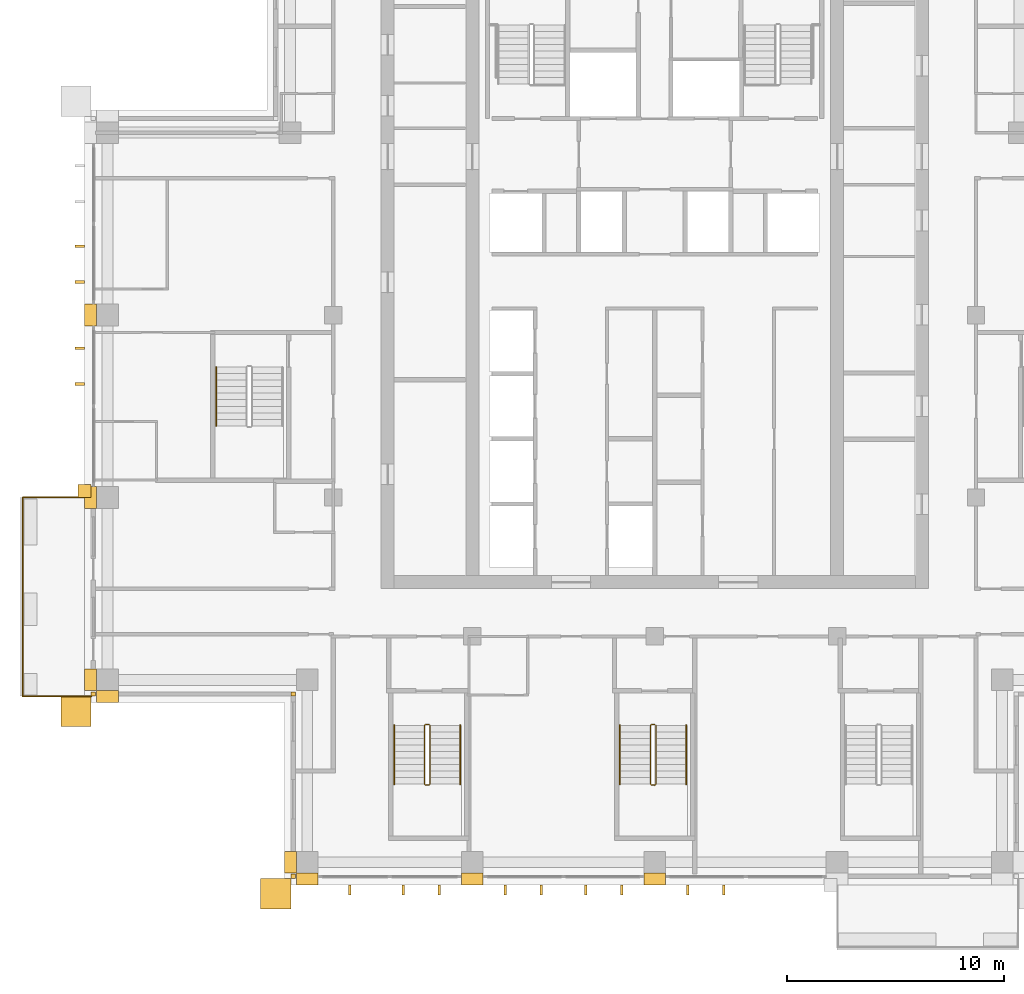
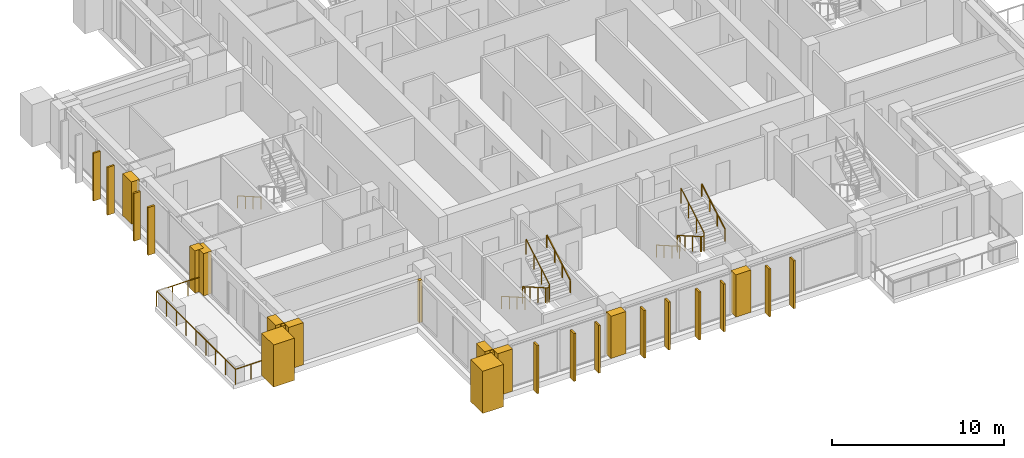
# One storey, part 16 of 19: 27 coverings, 8 railings.
"""IFC4 building model written with IfcOpenShell, lengths in metres."""

from ifc_helpers import new_model, si_unit, direction, frame, origin, origin_2d, place, context, subcontext, project, spatial, polyline, rectangle, outline, extrude, material, layer, layer_set, type_object, element, save


model = new_model("IFC4")

# Units and contexts
model_context = context("Model", 3, precision=1e-05, world=origin(), true_north=direction((0.0, 1.0)))
body_context = subcontext(model_context, "Body", "Model", "MODEL_VIEW")
ifc_project = project(units=[si_unit("LENGTHUNIT", "METRE"), si_unit("AREAUNIT", "SQUARE_METRE"), si_unit("VOLUMEUNIT", "CUBIC_METRE"), si_unit("PLANEANGLEUNIT", "RADIAN"), si_unit("MASSUNIT", "GRAM", prefix="KILO")], contexts=[model_context])

# Site, building, storey
site_placement = place(None, origin())
site = spatial("IfcSite", under=ifc_project, at=site_placement, CompositionType="ELEMENT")
building_placement = place(site_placement, origin())
building = spatial("IfcBuilding", under=site, at=building_placement, Name="Vermilion Ogive Tower", CompositionType="ELEMENT")
storey_placement = place(building_placement, frame((0.0, 0.0, 213.5)))
storey = spatial("IfcBuildingStorey", under=building, at=storey_placement, Name="L56", CompositionType="ELEMENT", Elevation=213.5)

# Railing
ifc_material_1 = material(Name="Stainless steel and glass", Category="steel")
railing_type_1 = type_object("IfcRailingType", Name="Balcony guard", PredefinedType="GUARDRAIL", material=ifc_material_1)
railing_1_placement = place(storey_placement, frame((-25.949951171875, -4.199951171875, -0.0400390625)))
element("IfcRailing", 1, at=railing_1_placement, inside=storey, type_object=railing_type_1, Name="Guard W03", PredefinedType="GUARDRAIL", context=body_context, shape_type="SweptSolid", body=[
    extrude(rectangle(XDim=0.048095703125, YDim=0.048095703125, at=origin_2d()), frame((0.0, 0.0, 1.076171875), z_axis=(-1.0, 0.0, 0.0), x_axis=(0.0, -1.0, 0.0)), (0.0, 0.0, 1.0), 3.16015625),
    extrude(rectangle(XDim=0.048095703125, YDim=0.048095703125, at=origin_2d()), frame((-3.16015625, 0.0, 1.076171875), z_axis=(0.0, -1.0, 0.0), x_axis=(1.0, 0.0, 0.0)), (0.0, 0.0, 1.0), 9.150146484375),
    extrude(rectangle(XDim=0.048095703125, YDim=0.048095703125, at=origin_2d()), frame((-3.16015625, -9.150146484375, 1.076171875), z_axis=(1.0, 0.0, 0.0), x_axis=(0.0, 1.0, 0.0)), (0.0, 0.0, 1.0), 3.16015625),
    extrude(rectangle(XDim=0.0419921875, YDim=0.0419921875, at=origin_2d()), origin(), (0.0, 0.0, 1.0), 1.052001953125),
    extrude(rectangle(XDim=0.0419921875, YDim=0.0419921875, at=origin_2d()), frame((-1.053466796875, 0.0, 0.0)), (0.0, 0.0, 1.0), 1.052001953125),
    extrude(rectangle(XDim=0.0419921875, YDim=0.0419921875, at=origin_2d()), frame((-2.106689453125, 0.0, 0.0)), (0.0, 0.0, 1.0), 1.052001953125),
    extrude(rectangle(XDim=0.0419921875, YDim=0.0419921875, at=origin_2d()), frame((-3.16015625, 0.0, 0.0)), (0.0, 0.0, 1.0), 1.052001953125),
    extrude(rectangle(XDim=0.0419921875, YDim=0.0419921875, at=origin_2d()), frame((-3.16015625, -1.143798828125, 0.0)), (0.0, 0.0, 1.0), 1.052001953125),
    extrude(rectangle(XDim=0.0419921875, YDim=0.0419921875, at=origin_2d()), frame((-3.16015625, -2.28759765625, 0.0)), (0.0, 0.0, 1.0), 1.052001953125),
    extrude(rectangle(XDim=0.0419921875, YDim=0.0419921875, at=origin_2d()), frame((-3.16015625, -3.431396484375, 0.0)), (0.0, 0.0, 1.0), 1.052001953125),
    extrude(rectangle(XDim=0.0419921875, YDim=0.0419921875, at=origin_2d()), frame((-3.16015625, -4.5751953125, 0.0)), (0.0, 0.0, 1.0), 1.052001953125),
    extrude(rectangle(XDim=0.0419921875, YDim=0.0419921875, at=origin_2d()), frame((-3.16015625, -5.71875, 0.0)), (0.0, 0.0, 1.0), 1.052001953125),
    extrude(rectangle(XDim=0.0419921875, YDim=0.0419921875, at=origin_2d()), frame((-3.16015625, -6.862548828125, 0.0)), (0.0, 0.0, 1.0), 1.052001953125),
    extrude(rectangle(XDim=0.0419921875, YDim=0.0419921875, at=origin_2d()), frame((-3.16015625, -8.00634765625, 0.0)), (0.0, 0.0, 1.0), 1.052001953125),
    extrude(rectangle(XDim=0.0419921875, YDim=0.0419921875, at=origin_2d()), frame((-3.16015625, -9.150146484375, 0.0)), (0.0, 0.0, 1.0), 1.052001953125),
    extrude(rectangle(XDim=0.0419921875, YDim=0.0419921875, at=origin_2d()), frame((-2.106689453125, -9.150146484375, 0.0)), (0.0, 0.0, 1.0), 1.052001953125),
    extrude(rectangle(XDim=0.0419921875, YDim=0.0419921875, at=origin_2d()), frame((-1.053466796875, -9.150146484375, 0.0)), (0.0, 0.0, 1.0), 1.052001953125),
    extrude(rectangle(XDim=0.0419921875, YDim=0.0419921875, at=origin_2d()), frame((0.0, -9.150146484375, 0.0)), (0.0, 0.0, 1.0), 1.052001953125),
])

# Coverings
ifc_material_2 = material(Name="Glazed ceramic screen")
ifc_layer = layer(ifc_material_2, 0.14990234375)
ifc_layer_set = layer_set([ifc_layer], Name="Ceramic solar screen fin")
covering_type_1 = type_object("IfcCoveringType", Name="Ceramic solar screen fin", PredefinedType="CLADDING", material=ifc_layer_set)
covering_1_placement = place(storey_placement, frame((0.0, 0.0, -0.39990234375)))
element("IfcCovering", 2, at=covering_1_placement, inside=storey, type_object=covering_type_1, Name="Solar screen blade S961", PredefinedType="CLADDING", context=body_context, shape_type="SweptSolid", body=[
    extrude(outline(polyline([(-14.110107421875, -22.5), (-13.989990234375, -22.5), (-13.989990234375, -22.050048828125), (-14.110107421875, -22.050048828125), (-14.110107421875, -22.5)])), origin(), (0.0, 0.0, 1.0), 3.39990234375),
])
covering_2_placement = place(storey_placement, frame((0.0, 0.0, -0.39990234375)))
element("IfcCovering", 3, at=covering_2_placement, inside=storey, type_object=covering_type_1, Name="Solar screen blade S971", PredefinedType="CLADDING", context=body_context, shape_type="SweptSolid", body=[
    extrude(outline(polyline([(-11.635009765625, -22.5), (-11.514892578125, -22.5), (-11.514892578125, -22.050048828125), (-11.635009765625, -22.050048828125), (-11.635009765625, -22.5)])), origin(), (0.0, 0.0, 1.0), 3.39990234375),
])
covering_3_placement = place(storey_placement, frame((0.0, 0.0, -0.39990234375)))
element("IfcCovering", 4, at=covering_3_placement, inside=storey, type_object=covering_type_1, Name="Solar screen blade S972", PredefinedType="CLADDING", context=body_context, shape_type="SweptSolid", body=[
    extrude(outline(polyline([(-9.985107421875, -22.5), (-9.864990234375, -22.5), (-9.864990234375, -22.050048828125), (-9.985107421875, -22.050048828125), (-9.985107421875, -22.5)])), origin(), (0.0, 0.0, 1.0), 3.39990234375),
])
covering_4_placement = place(storey_placement, frame((0.0, 0.0, -0.39990234375)))
element("IfcCovering", 5, at=covering_4_placement, inside=storey, type_object=covering_type_1, Name="Solar screen blade S981", PredefinedType="CLADDING", context=body_context, shape_type="SweptSolid", body=[
    extrude(outline(polyline([(-6.93505859375, -22.5), (-6.81494140625, -22.5), (-6.81494140625, -22.050048828125), (-6.93505859375, -22.050048828125), (-6.93505859375, -22.5)])), origin(), (0.0, 0.0, 1.0), 3.39990234375),
])
covering_5_placement = place(storey_placement, frame((0.0, 0.0, -0.39990234375)))
element("IfcCovering", 6, at=covering_5_placement, inside=storey, type_object=covering_type_1, Name="Solar screen blade S982", PredefinedType="CLADDING", context=body_context, shape_type="SweptSolid", body=[
    extrude(outline(polyline([(-5.284912109375, -22.5), (-5.1650390625, -22.5), (-5.1650390625, -22.050048828125), (-5.284912109375, -22.050048828125), (-5.284912109375, -22.5)])), origin(), (0.0, 0.0, 1.0), 3.39990234375),
])
covering_6_placement = place(storey_placement, frame((0.0, 0.0, -0.39990234375)))
element("IfcCovering", 7, at=covering_6_placement, inside=storey, type_object=covering_type_1, Name="Solar screen blade S991", PredefinedType="CLADDING", context=body_context, shape_type="SweptSolid", body=[
    extrude(outline(polyline([(-3.235107421875, -22.5), (-3.114990234375, -22.5), (-3.114990234375, -22.050048828125), (-3.235107421875, -22.050048828125), (-3.235107421875, -22.5)])), origin(), (0.0, 0.0, 1.0), 3.39990234375),
])
covering_7_placement = place(storey_placement, frame((0.0, 0.0, -0.39990234375)))
element("IfcCovering", 8, at=covering_7_placement, inside=storey, type_object=covering_type_1, Name="Solar screen blade S992", PredefinedType="CLADDING", context=body_context, shape_type="SweptSolid", body=[
    extrude(outline(polyline([(-1.5849609375, -22.5), (-1.465087890625, -22.5), (-1.465087890625, -22.050048828125), (-1.5849609375, -22.050048828125), (-1.5849609375, -22.5)])), origin(), (0.0, 0.0, 1.0), 3.39990234375),
])
covering_8_placement = place(storey_placement, frame((0.0, 0.0, -0.39990234375)))
element("IfcCovering", 9, at=covering_8_placement, inside=storey, type_object=covering_type_1, Name="Solar screen blade S001", PredefinedType="CLADDING", context=body_context, shape_type="SweptSolid", body=[
    extrude(outline(polyline([(1.465087890625, -22.5), (1.5849609375, -22.5), (1.5849609375, -22.050048828125), (1.465087890625, -22.050048828125), (1.465087890625, -22.5)])), origin(), (0.0, 0.0, 1.0), 3.39990234375),
])
covering_9_placement = place(storey_placement, frame((0.0, 0.0, -0.39990234375)))
element("IfcCovering", 10, at=covering_9_placement, inside=storey, type_object=covering_type_1, Name="Solar screen blade S002", PredefinedType="CLADDING", context=body_context, shape_type="SweptSolid", body=[
    extrude(outline(polyline([(3.114990234375, -22.5), (3.235107421875, -22.5), (3.235107421875, -22.050048828125), (3.114990234375, -22.050048828125), (3.114990234375, -22.5)])), origin(), (0.0, 0.0, 1.0), 3.39990234375),
])
covering_10_placement = place(storey_placement, frame((0.0, 0.0, -0.39990234375)))
element("IfcCovering", 11, at=covering_10_placement, inside=storey, type_object=covering_type_1, Name="Solar screen blade W011", PredefinedType="CLADDING", context=body_context, shape_type="SweptSolid", body=[
    extrude(outline(polyline([(-26.699951171875, 7.43505859375), (-26.699951171875, 7.31494140625), (-26.25, 7.31494140625), (-26.25, 7.43505859375), (-26.699951171875, 7.43505859375)])), origin(), (0.0, 0.0, 1.0), 3.39990234375),
])
covering_11_placement = place(storey_placement, frame((0.0, 0.0, -0.39990234375)))
element("IfcCovering", 12, at=covering_11_placement, inside=storey, type_object=covering_type_1, Name="Solar screen blade W012", PredefinedType="CLADDING", context=body_context, shape_type="SweptSolid", body=[
    extrude(outline(polyline([(-26.699951171875, 5.784912109375), (-26.699951171875, 5.6650390625), (-26.25, 5.6650390625), (-26.25, 5.784912109375), (-26.699951171875, 5.784912109375)])), origin(), (0.0, 0.0, 1.0), 3.39990234375),
])
covering_12_placement = place(storey_placement, frame((0.0, 0.0, -0.39990234375)))
element("IfcCovering", 13, at=covering_12_placement, inside=storey, type_object=covering_type_1, Name="Solar screen blade W001", PredefinedType="CLADDING", context=body_context, shape_type="SweptSolid", body=[
    extrude(outline(polyline([(-26.699951171875, 2.735107421875), (-26.699951171875, 2.614990234375), (-26.25, 2.614990234375), (-26.25, 2.735107421875), (-26.699951171875, 2.735107421875)])), origin(), (0.0, 0.0, 1.0), 3.39990234375),
])
covering_13_placement = place(storey_placement, frame((0.0, 0.0, -0.39990234375)))
element("IfcCovering", 14, at=covering_13_placement, inside=storey, type_object=covering_type_1, Name="Solar screen blade W002", PredefinedType="CLADDING", context=body_context, shape_type="SweptSolid", body=[
    extrude(outline(polyline([(-26.699951171875, 1.0849609375), (-26.699951171875, 0.965087890625), (-26.25, 0.965087890625), (-26.25, 1.0849609375), (-26.699951171875, 1.0849609375)])), origin(), (0.0, 0.0, 1.0), 3.39990234375),
])

# Railings
ifc_material_3 = material(Name="Steel S355 painted", Category="steel")
railing_type_2 = type_object("IfcRailingType", Name="Stair guard 1100", PredefinedType="GUARDRAIL", material=ifc_material_3)
railing_2_placement = place(storey_placement, frame((-10.39990234375, -14.64990234375, 0.0)))
element("IfcRailing", 15, at=railing_2_placement, inside=storey, type_object=railing_type_2, Name="L56 ST3 stair guard 4", PredefinedType="GUARDRAIL", context=body_context, shape_type="SweptSolid", body=[
    extrude(rectangle(XDim=0.048095703125, YDim=0.048095703125, at=origin_2d()), frame((0.0, 0.0, 1.076171875), z_axis=(-1.0, 0.0, 0.0), x_axis=(0.0, -1.0, 0.0)), (0.0, 0.0, 1.0), 0.150146484375),
    extrude(rectangle(XDim=0.048095703125, YDim=0.048095703125, at=origin_2d()), frame((-0.150146484375, 0.0, 1.076171875), z_axis=(-0.268277960024, -0.268277960024, 0.925231793839), x_axis=(0.707106781187, -0.707106781187, 0.0)), (0.0, 0.0, 1.0), 0.1865234375),
    extrude(rectangle(XDim=0.048095703125, YDim=0.048095703125, at=origin_2d()), frame((-0.2001953125, -0.050048828125, 1.24853515625), z_axis=(0.0, -0.866903762492, 0.498475542607), x_axis=(1.0, 0.0, 0.0)), (0.0, 0.0, 1.0), 3.114501953125),
    extrude(rectangle(XDim=0.048095703125, YDim=0.048095703125, at=origin_2d()), frame((-0.2001953125, -2.75, 2.80126953125), z_axis=(0.707106781187, -0.707106781187, 0.0), x_axis=(0.707106781187, 0.707106781187, 0.0)), (0.0, 0.0, 1.0), 0.07080078125),
    extrude(rectangle(XDim=0.048095703125, YDim=0.048095703125, at=origin_2d()), frame((-0.150146484375, -2.800048828125, 2.80126953125), z_axis=(1.0, 0.0, 0.0), x_axis=(0.0, 1.0, 0.0)), (0.0, 0.0, 1.0), 0.150146484375),
    extrude(rectangle(XDim=0.048095703125, YDim=0.048095703125, at=origin_2d()), frame((0.0, -2.800048828125, 2.80126953125), z_axis=(0.267386790225, 0.268697509785, 0.925368009307), x_axis=(-0.708833529934, 0.705375805398, 0.0)), (0.0, 0.0, 1.0), 0.186279296875),
    extrude(rectangle(XDim=0.048095703125, YDim=0.048095703125, at=origin_2d()), frame((0.0498046875, -2.75, 2.9736328125), z_axis=(0.0, 0.866903762492, 0.498475542607), x_axis=(-1.0, 0.0, 0.0)), (0.0, 0.0, 1.0), 3.114501953125),
    extrude(rectangle(XDim=0.0419921875, YDim=0.0419921875, at=origin_2d()), origin(), (0.0, 0.0, 1.0), 1.052001953125),
    extrude(rectangle(XDim=0.0419921875, YDim=0.0419921875, at=origin_2d()), frame((-0.150146484375, 0.0, 0.0)), (0.0, 0.0, 1.0), 1.052001953125),
    extrude(rectangle(XDim=0.0419921875, YDim=0.0419921875, at=origin_2d()), frame((-0.2001953125, -0.050048828125, 0.172607421875)), (0.0, 0.0, 1.0), 1.052001953125),
    extrude(rectangle(XDim=0.0419921875, YDim=0.0419921875, at=origin_2d()), frame((-0.2001953125, -0.949951171875, 0.690185546875)), (0.0, 0.0, 1.0), 1.052001953125),
    extrude(rectangle(XDim=0.0419921875, YDim=0.0419921875, at=origin_2d()), frame((-0.2001953125, -1.85009765625, 1.20751953125)), (0.0, 0.0, 1.0), 1.052001953125),
    extrude(rectangle(XDim=0.0419921875, YDim=0.0419921875, at=origin_2d()), frame((-0.2001953125, -2.75, 1.72509765625)), (0.0, 0.0, 1.0), 1.052001953125),
    extrude(rectangle(XDim=0.0419921875, YDim=0.0419921875, at=origin_2d()), frame((-0.150146484375, -2.800048828125, 1.72509765625)), (0.0, 0.0, 1.0), 1.052001953125),
    extrude(rectangle(XDim=0.0419921875, YDim=0.0419921875, at=origin_2d()), frame((0.0, -2.800048828125, 1.72509765625)), (0.0, 0.0, 1.0), 1.052001953125),
    extrude(rectangle(XDim=0.0419921875, YDim=0.0419921875, at=origin_2d()), frame((0.0498046875, -2.75, 1.8974609375)), (0.0, 0.0, 1.0), 1.052001953125),
    extrude(rectangle(XDim=0.0419921875, YDim=0.0419921875, at=origin_2d()), frame((0.0498046875, -1.85009765625, 2.4150390625)), (0.0, 0.0, 1.0), 1.052001953125),
    extrude(rectangle(XDim=0.0419921875, YDim=0.0419921875, at=origin_2d()), frame((0.0498046875, -0.949951171875, 2.932373046875)), (0.0, 0.0, 1.0), 1.052001953125),
    extrude(rectangle(XDim=0.0419921875, YDim=0.0419921875, at=origin_2d()), frame((0.0498046875, -0.050048828125, 3.449951171875)), (0.0, 0.0, 1.0), 1.052001953125),
])
railing_3_placement = place(storey_placement, frame((0.0, -14.64990234375, 0.0)))
element("IfcRailing", 16, at=railing_3_placement, inside=storey, type_object=railing_type_2, Name="L56 ST4 stair guard 4", PredefinedType="GUARDRAIL", context=body_context, shape_type="SweptSolid", body=[
    extrude(rectangle(XDim=0.048095703125, YDim=0.048095703125, at=origin_2d()), frame((0.0, 0.0, 1.076171875), z_axis=(-1.0, 0.0, 0.0), x_axis=(0.0, -1.0, 0.0)), (0.0, 0.0, 1.0), 0.14990234375),
    extrude(rectangle(XDim=0.048095703125, YDim=0.048095703125, at=origin_2d()), frame((-0.14990234375, 0.0, 1.076171875), z_axis=(-0.268277960024, -0.268277960024, 0.925231793839), x_axis=(0.707106781187, -0.707106781187, 0.0)), (0.0, 0.0, 1.0), 0.1865234375),
    extrude(rectangle(XDim=0.048095703125, YDim=0.048095703125, at=origin_2d()), frame((-0.199951171875, -0.050048828125, 1.24853515625), z_axis=(0.0, -0.866903762492, 0.498475542607), x_axis=(1.0, 0.0, 0.0)), (0.0, 0.0, 1.0), 3.114501953125),
    extrude(rectangle(XDim=0.048095703125, YDim=0.048095703125, at=origin_2d()), frame((-0.199951171875, -2.75, 2.80126953125), z_axis=(0.707106781187, -0.707106781187, 0.0), x_axis=(0.707106781187, 0.707106781187, 0.0)), (0.0, 0.0, 1.0), 0.07080078125),
    extrude(rectangle(XDim=0.048095703125, YDim=0.048095703125, at=origin_2d()), frame((-0.14990234375, -2.800048828125, 2.80126953125), z_axis=(1.0, 0.0, 0.0), x_axis=(0.0, 1.0, 0.0)), (0.0, 0.0, 1.0), 0.14990234375),
    extrude(rectangle(XDim=0.048095703125, YDim=0.048095703125, at=origin_2d()), frame((0.0, -2.800048828125, 2.80126953125), z_axis=(0.268603158521, 0.268603158521, 0.925043072762), x_axis=(-0.707106781187, 0.707106781187, 0.0)), (0.0, 0.0, 1.0), 0.186279296875),
    extrude(rectangle(XDim=0.048095703125, YDim=0.048095703125, at=origin_2d()), frame((0.050048828125, -2.75, 2.9736328125), z_axis=(0.0, 0.866903762492, 0.498475542607), x_axis=(-1.0, 0.0, 0.0)), (0.0, 0.0, 1.0), 3.114501953125),
    extrude(rectangle(XDim=0.0419921875, YDim=0.0419921875, at=origin_2d()), origin(), (0.0, 0.0, 1.0), 1.052001953125),
    extrude(rectangle(XDim=0.0419921875, YDim=0.0419921875, at=origin_2d()), frame((-0.14990234375, 0.0, 0.0)), (0.0, 0.0, 1.0), 1.052001953125),
    extrude(rectangle(XDim=0.0419921875, YDim=0.0419921875, at=origin_2d()), frame((-0.199951171875, -0.050048828125, 0.172607421875)), (0.0, 0.0, 1.0), 1.052001953125),
    extrude(rectangle(XDim=0.0419921875, YDim=0.0419921875, at=origin_2d()), frame((-0.199951171875, -0.949951171875, 0.690185546875)), (0.0, 0.0, 1.0), 1.052001953125),
    extrude(rectangle(XDim=0.0419921875, YDim=0.0419921875, at=origin_2d()), frame((-0.199951171875, -1.85009765625, 1.20751953125)), (0.0, 0.0, 1.0), 1.052001953125),
    extrude(rectangle(XDim=0.0419921875, YDim=0.0419921875, at=origin_2d()), frame((-0.199951171875, -2.75, 1.72509765625)), (0.0, 0.0, 1.0), 1.052001953125),
    extrude(rectangle(XDim=0.0419921875, YDim=0.0419921875, at=origin_2d()), frame((-0.14990234375, -2.800048828125, 1.72509765625)), (0.0, 0.0, 1.0), 1.052001953125),
    extrude(rectangle(XDim=0.0419921875, YDim=0.0419921875, at=origin_2d()), frame((0.0, -2.800048828125, 1.72509765625)), (0.0, 0.0, 1.0), 1.052001953125),
    extrude(rectangle(XDim=0.0419921875, YDim=0.0419921875, at=origin_2d()), frame((0.050048828125, -2.75, 1.8974609375)), (0.0, 0.0, 1.0), 1.052001953125),
    extrude(rectangle(XDim=0.0419921875, YDim=0.0419921875, at=origin_2d()), frame((0.050048828125, -1.85009765625, 2.4150390625)), (0.0, 0.0, 1.0), 1.052001953125),
    extrude(rectangle(XDim=0.0419921875, YDim=0.0419921875, at=origin_2d()), frame((0.050048828125, -0.949951171875, 2.932373046875)), (0.0, 0.0, 1.0), 1.052001953125),
    extrude(rectangle(XDim=0.0419921875, YDim=0.0419921875, at=origin_2d()), frame((0.050048828125, -0.050048828125, 3.449951171875)), (0.0, 0.0, 1.0), 1.052001953125),
])
ifc_material_4 = material(Name="Stainless steel", Category="steel")
railing_type_3 = type_object("IfcRailingType", Name="Stair handrail 900", PredefinedType="HANDRAIL", material=ifc_material_4)
railing_4_placement = place(storey_placement, frame((-12.0, -14.699951171875, 0.172607421875)))
element("IfcRailing", 17, at=railing_4_placement, inside=storey, type_object=railing_type_3, Name="L56 ST3 stair handrail 1", PredefinedType="HANDRAIL", context=body_context, shape_type="SweptSolid", body=[
    extrude(rectangle(XDim=0.048095703125, YDim=0.048095703125, at=origin_2d()), frame((0.0, 0.0, 0.8759765625), z_axis=(0.0, -0.866903762492, 0.498475542607), x_axis=(1.0, 0.0, 0.0)), (0.0, 0.0, 1.0), 3.114501953125),
    extrude(rectangle(XDim=0.0419921875, YDim=0.0419921875, at=origin_2d()), origin(), (0.0, 0.0, 1.0), 0.851806640625),
    extrude(rectangle(XDim=0.0419921875, YDim=0.0419921875, at=origin_2d()), frame((0.0, -0.89990234375, 0.517578125)), (0.0, 0.0, 1.0), 0.851806640625),
    extrude(rectangle(XDim=0.0419921875, YDim=0.0419921875, at=origin_2d()), frame((0.0, -1.800048828125, 1.034912109375)), (0.0, 0.0, 1.0), 0.851806640625),
    extrude(rectangle(XDim=0.0419921875, YDim=0.0419921875, at=origin_2d()), frame((0.0, -2.699951171875, 1.552490234375)), (0.0, 0.0, 1.0), 0.851806640625),
])
railing_5_placement = place(storey_placement, frame((-8.949951171875, -17.39990234375, 1.8974609375)))
element("IfcRailing", 18, at=railing_5_placement, inside=storey, type_object=railing_type_3, Name="L56 ST3 stair handrail 2", PredefinedType="HANDRAIL", context=body_context, shape_type="SweptSolid", body=[
    extrude(rectangle(XDim=0.048095703125, YDim=0.048095703125, at=origin_2d()), frame((0.0, 0.0, 0.8759765625), z_axis=(0.0, 0.866903762492, 0.498475542607), x_axis=(-1.0, 0.0, 0.0)), (0.0, 0.0, 1.0), 3.114501953125),
    extrude(rectangle(XDim=0.0419921875, YDim=0.0419921875, at=origin_2d()), origin(), (0.0, 0.0, 1.0), 0.851806640625),
    extrude(rectangle(XDim=0.0419921875, YDim=0.0419921875, at=origin_2d()), frame((0.0, 0.89990234375, 0.517578125)), (0.0, 0.0, 1.0), 0.851806640625),
    extrude(rectangle(XDim=0.0419921875, YDim=0.0419921875, at=origin_2d()), frame((0.0, 1.800048828125, 1.034912109375)), (0.0, 0.0, 1.0), 0.851806640625),
    extrude(rectangle(XDim=0.0419921875, YDim=0.0419921875, at=origin_2d()), frame((0.0, 2.699951171875, 1.552490234375)), (0.0, 0.0, 1.0), 0.851806640625),
])
railing_6_placement = place(storey_placement, frame((-1.60009765625, -14.699951171875, 0.172607421875)))
element("IfcRailing", 19, at=railing_6_placement, inside=storey, type_object=railing_type_3, Name="L56 ST4 stair handrail 1", PredefinedType="HANDRAIL", context=body_context, shape_type="SweptSolid", body=[
    extrude(rectangle(XDim=0.048095703125, YDim=0.048095703125, at=origin_2d()), frame((0.0, 0.0, 0.8759765625), z_axis=(0.0, -0.866903762492, 0.498475542607), x_axis=(1.0, 0.0, 0.0)), (0.0, 0.0, 1.0), 3.114501953125),
    extrude(rectangle(XDim=0.0419921875, YDim=0.0419921875, at=origin_2d()), origin(), (0.0, 0.0, 1.0), 0.851806640625),
    extrude(rectangle(XDim=0.0419921875, YDim=0.0419921875, at=origin_2d()), frame((0.0, -0.89990234375, 0.517578125)), (0.0, 0.0, 1.0), 0.851806640625),
    extrude(rectangle(XDim=0.0419921875, YDim=0.0419921875, at=origin_2d()), frame((0.0, -1.800048828125, 1.034912109375)), (0.0, 0.0, 1.0), 0.851806640625),
    extrude(rectangle(XDim=0.0419921875, YDim=0.0419921875, at=origin_2d()), frame((0.0, -2.699951171875, 1.552490234375)), (0.0, 0.0, 1.0), 0.851806640625),
])
railing_7_placement = place(storey_placement, frame((1.449951171875, -17.39990234375, 1.8974609375)))
element("IfcRailing", 20, at=railing_7_placement, inside=storey, type_object=railing_type_3, Name="L56 ST4 stair handrail 2", PredefinedType="HANDRAIL", context=body_context, shape_type="SweptSolid", body=[
    extrude(rectangle(XDim=0.048095703125, YDim=0.048095703125, at=origin_2d()), frame((0.0, 0.0, 0.8759765625), z_axis=(0.0, 0.866903762492, 0.498475542607), x_axis=(-1.0, 0.0, 0.0)), (0.0, 0.0, 1.0), 3.114501953125),
    extrude(rectangle(XDim=0.0419921875, YDim=0.0419921875, at=origin_2d()), origin(), (0.0, 0.0, 1.0), 0.851806640625),
    extrude(rectangle(XDim=0.0419921875, YDim=0.0419921875, at=origin_2d()), frame((0.0, 0.89990234375, 0.517578125)), (0.0, 0.0, 1.0), 0.851806640625),
    extrude(rectangle(XDim=0.0419921875, YDim=0.0419921875, at=origin_2d()), frame((0.0, 1.800048828125, 1.034912109375)), (0.0, 0.0, 1.0), 0.851806640625),
    extrude(rectangle(XDim=0.0419921875, YDim=0.0419921875, at=origin_2d()), frame((0.0, 2.699951171875, 1.552490234375)), (0.0, 0.0, 1.0), 0.851806640625),
])
railing_8_placement = place(storey_placement, frame((-20.199951171875, 1.800048828125, 0.172607421875)))
element("IfcRailing", 21, at=railing_8_placement, inside=storey, type_object=railing_type_3, Name="L56 ST9 stair handrail 1", PredefinedType="HANDRAIL", context=body_context, shape_type="SweptSolid", body=[
    extrude(rectangle(XDim=0.048095703125, YDim=0.048095703125, at=origin_2d()), frame((0.0, 0.0, 0.8759765625), z_axis=(0.0, -0.866903762492, 0.498475542607), x_axis=(1.0, 0.0, 0.0)), (0.0, 0.0, 1.0), 3.114501953125),
    extrude(rectangle(XDim=0.0419921875, YDim=0.0419921875, at=origin_2d()), origin(), (0.0, 0.0, 1.0), 0.851806640625),
    extrude(rectangle(XDim=0.0419921875, YDim=0.0419921875, at=origin_2d()), frame((0.0, -0.89990234375, 0.517578125)), (0.0, 0.0, 1.0), 0.851806640625),
    extrude(rectangle(XDim=0.0419921875, YDim=0.0419921875, at=origin_2d()), frame((0.0, -1.800048828125, 1.034912109375)), (0.0, 0.0, 1.0), 0.851806640625),
    extrude(rectangle(XDim=0.0419921875, YDim=0.0419921875, at=origin_2d()), frame((0.0, -2.699951171875, 1.552490234375)), (0.0, 0.0, 1.0), 0.851806640625),
])

# Coverings
ifc_material_5 = material(Name="Stone cladding", Category="masonry")
covering_type_2 = type_object("IfcCoveringType", Name="Stone corner buttress", PredefinedType="CLADDING", material=ifc_material_5)
covering_14_placement = place(storey_placement, origin())
element("IfcCovering", 22, at=covering_14_placement, inside=storey, type_object=covering_type_2, Name="Stone crease pier WK", PredefinedType="CLADDING", context=body_context, shape_type="SweptSolid", body=[
    extrude(outline(polyline([(-26.550048828125, -3.60009765625), (-26.550048828125, -4.199951171875), (-25.949951171875, -4.199951171875), (-25.949951171875, -3.60009765625), (-26.550048828125, -3.60009765625)])), origin(), (0.0, 0.0, 1.0), 3.0),
])
covering_15_placement = place(storey_placement, origin())
element("IfcCovering", 23, at=covering_15_placement, inside=storey, type_object=covering_type_2, Name="Stone corner buttress S1", PredefinedType="CLADDING", context=body_context, shape_type="SweptSolid", body=[
    extrude(outline(polyline([(-18.14990234375, -23.14990234375), (-18.14990234375, -21.75), (-16.75, -21.75), (-16.75, -23.14990234375), (-18.14990234375, -23.14990234375)])), origin(), (0.0, 0.0, 1.0), 3.0),
])
covering_16_placement = place(storey_placement, origin())
element("IfcCovering", 24, at=covering_16_placement, inside=storey, type_object=covering_type_2, Name="Stone corner buttress X71", PredefinedType="CLADDING", context=body_context, shape_type="SweptSolid", body=[
    extrude(outline(polyline([(-25.949951171875, -14.75), (-27.35009765625, -14.75), (-27.35009765625, -13.35009765625), (-26.25, -13.35009765625), (-25.949951171875, -13.35009765625), (-25.949951171875, -14.75)])), origin(), (0.0, 0.0, 1.0), 3.0),
])
ifc_material_6 = material(Name="Stone cladding", Category="masonry")
covering_type_3 = type_object("IfcCoveringType", Name="Stone pier", PredefinedType="CLADDING", material=ifc_material_6)
covering_17_placement = place(storey_placement, origin())
element("IfcCovering", 25, at=covering_17_placement, inside=storey, type_object=covering_type_3, Name="Stone pier P+0000-210", PredefinedType="CLADDING", context=body_context, shape_type="SweptSolid", body=[
    extrude(outline(polyline([(0.5, -22.050048828125), (-0.5, -22.050048828125), (-0.5, -21.5), (0.5, -21.5), (0.5, -22.050048828125)])), origin(), (0.0, 0.0, 1.0), 3.0),
])
covering_18_placement = place(storey_placement, origin())
element("IfcCovering", 26, at=covering_18_placement, inside=storey, type_object=covering_type_3, Name="Stone pier P-0084-210", PredefinedType="CLADDING", context=body_context, shape_type="SweptSolid", body=[
    extrude(outline(polyline([(-7.89990234375, -22.050048828125), (-8.89990234375, -22.050048828125), (-8.89990234375, -21.5), (-7.89990234375, -21.5), (-7.89990234375, -22.050048828125)])), origin(), (0.0, 0.0, 1.0), 3.0),
])
covering_19_placement = place(storey_placement, origin())
element("IfcCovering", 27, at=covering_19_placement, inside=storey, type_object=covering_type_3, Name="Stone pier P-0160-210S", PredefinedType="CLADDING", context=body_context, shape_type="SweptSolid", body=[
    extrude(outline(polyline([(-15.5, -22.050048828125), (-16.5, -22.050048828125), (-16.5, -21.5), (-15.5, -21.5), (-15.5, -22.050048828125)])), origin(), (0.0, 0.0, 1.0), 3.0),
])
covering_20_placement = place(storey_placement, origin())
element("IfcCovering", 28, at=covering_20_placement, inside=storey, type_object=covering_type_3, Name="Stone pier P-0160-210X8", PredefinedType="CLADDING", context=body_context, shape_type="SweptSolid", body=[
    extrude(outline(polyline([(-17.050048828125, -20.5), (-16.5, -20.5), (-16.5, -21.5), (-17.050048828125, -21.5), (-17.050048828125, -20.5)])), origin(), (0.0, 0.0, 1.0), 3.0),
])
covering_21_placement = place(storey_placement, origin())
element("IfcCovering", 29, at=covering_21_placement, inside=storey, type_object=covering_type_3, Name="Stone pier P-0252+042", PredefinedType="CLADDING", context=body_context, shape_type="SweptSolid", body=[
    extrude(outline(polyline([(-25.699951171875, 3.699951171875), (-26.25, 3.699951171875), (-26.25, 4.699951171875), (-25.699951171875, 4.699951171875), (-25.699951171875, 4.699951171875), (-25.699951171875, 3.699951171875)])), origin(), (0.0, 0.0, 1.0), 3.0),
])
covering_22_placement = place(storey_placement, origin())
element("IfcCovering", 30, at=covering_22_placement, inside=storey, type_object=covering_type_3, Name="Stone pier P-0252-042", PredefinedType="CLADDING", context=body_context, shape_type="SweptSolid", body=[
    extrude(outline(polyline([(-25.699951171875, -4.699951171875), (-26.25, -4.699951171875), (-26.25, -4.199951171875), (-25.949951171875, -4.199951171875), (-25.949951171875, -3.699951171875), (-25.699951171875, -3.699951171875), (-25.699951171875, -4.699951171875), (-25.699951171875, -4.699951171875)])), origin(), (0.0, 0.0, 1.0), 3.0),
])
covering_23_placement = place(storey_placement, origin())
element("IfcCovering", 31, at=covering_23_placement, inside=storey, type_object=covering_type_3, Name="Stone pier P-0252-126W", PredefinedType="CLADDING", context=body_context, shape_type="SweptSolid", body=[
    extrude(outline(polyline([(-26.25, -13.10009765625), (-26.25, -12.10009765625), (-25.699951171875, -12.10009765625), (-25.699951171875, -13.10009765625), (-26.25, -13.10009765625)])), origin(), (0.0, 0.0, 1.0), 3.0),
])
covering_24_placement = place(storey_placement, origin())
element("IfcCovering", 32, at=covering_24_placement, inside=storey, type_object=covering_type_3, Name="Stone pier P-0252-126X7", PredefinedType="CLADDING", context=body_context, shape_type="SweptSolid", body=[
    extrude(outline(polyline([(-25.699951171875, -13.64990234375), (-25.699951171875, -13.10009765625), (-24.699951171875, -13.10009765625), (-24.699951171875, -13.64990234375), (-25.699951171875, -13.64990234375)])), origin(), (0.0, 0.0, 1.0), 3.0),
])
covering_25_placement = place(storey_placement, origin())
element("IfcCovering", 33, at=covering_25_placement, inside=storey, type_object=covering_type_3, Name="Stone corner pier WE1", PredefinedType="CLADDING", context=body_context, shape_type="SweptSolid", body=[
    extrude(outline(polyline([(-25.75, -13.14990234375), (-25.75, -13.35009765625), (-25.949951171875, -13.35009765625), (-25.949951171875, -13.14990234375), (-25.75, -13.14990234375)])), origin(), (0.0, 0.0, 1.0), 3.0),
])
covering_26_placement = place(storey_placement, origin())
element("IfcCovering", 34, at=covering_26_placement, inside=storey, type_object=covering_type_3, Name="Stone corner pier X7E1", PredefinedType="CLADDING", context=body_context, shape_type="SweptSolid", body=[
    extrude(outline(polyline([(-16.550048828125, -13.14990234375), (-16.550048828125, -13.35009765625), (-16.75, -13.35009765625), (-16.75, -13.14990234375), (-16.550048828125, -13.14990234375)])), origin(), (0.0, 0.0, 1.0), 3.0),
])
covering_27_placement = place(storey_placement, origin())
element("IfcCovering", 35, at=covering_27_placement, inside=storey, type_object=covering_type_3, Name="Stone corner pier X8E1", PredefinedType="CLADDING", context=body_context, shape_type="SweptSolid", body=[
    extrude(outline(polyline([(-16.550048828125, -21.550048828125), (-16.550048828125, -21.75), (-16.75, -21.75), (-16.75, -21.550048828125), (-16.550048828125, -21.550048828125)])), origin(), (0.0, 0.0, 1.0), 3.0),
])

save(model, "model.ifc")
